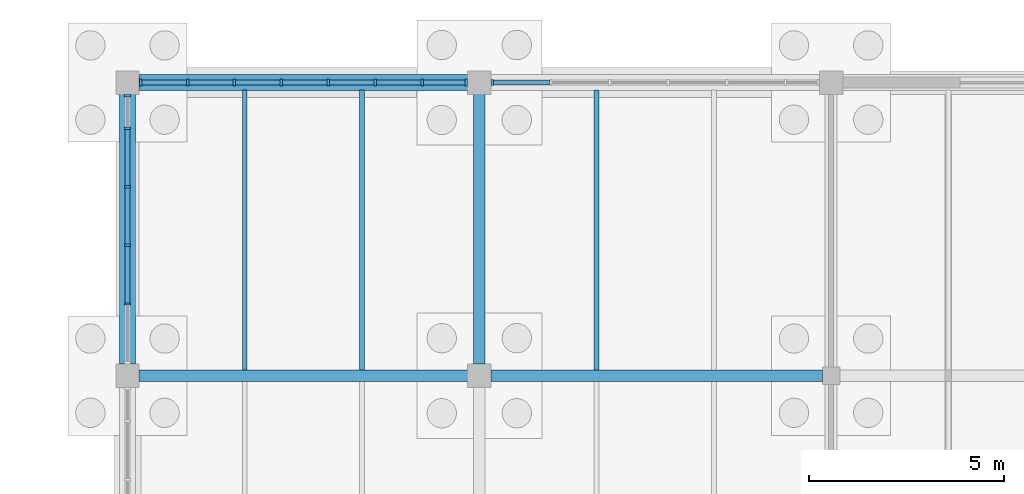
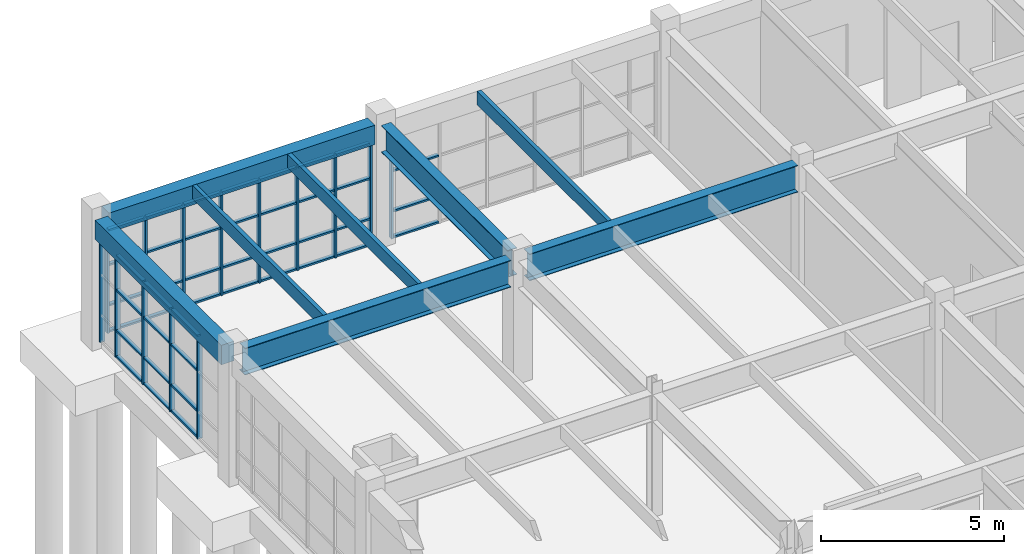
# One storey, part 35 of 93: 57 members, 8 beams, 3 elements without a shape of their own.
"""IFC4 building model written with IfcOpenShell, lengths in metres."""

from ifc_helpers import new_model, si_unit, direction, frame, origin, origin_2d, place, context, subcontext, project, spatial, rectangle, i_section, extrude, material, layer, layer_set, material_profile, profile_set, type_object, element, aggregate, save


model = new_model("IFC4")

# Units and contexts
model_context = context("Model", 3, precision=1e-05, world=origin(), true_north=direction((0.0, 1.0)))
body_context = subcontext(model_context, "Body", "Model", "MODEL_VIEW")
ifc_project = project(units=[si_unit("LENGTHUNIT", "METRE"), si_unit("AREAUNIT", "SQUARE_METRE"), si_unit("VOLUMEUNIT", "CUBIC_METRE"), si_unit("PLANEANGLEUNIT", "RADIAN"), si_unit("MASSUNIT", "GRAM", prefix="KILO")], contexts=[model_context])

# Site, building, storey
site_placement = place(None, origin())
site = spatial("IfcSite", under=ifc_project, at=site_placement, CompositionType="ELEMENT")
building_placement = place(site_placement, origin())
building = spatial("IfcBuilding", under=site, at=building_placement, Name="Marnridge Secondary College", CompositionType="ELEMENT")
storey_placement = place(building_placement, origin())
storey = spatial("IfcBuildingStorey", under=building, at=storey_placement, Name="L00", CompositionType="ELEMENT", Elevation=0.0)

# Beams
ifc_material_1 = material(Name="Engineered timber LVL E13.2", Category="wood")
ifc_material_profile_1 = material_profile(ifc_material_1, rectangle(XDim=0.1259765625, YDim=0.449951171875, at=origin_2d()), Name="LVL 126x450")
ifc_profile_set_1 = profile_set([ifc_material_profile_1], Name="Engineered timber LVL E13.2")
beam_type_1 = type_object("IfcBeamType", Name="BM-LVL450-INT", PredefinedType="JOIST", material=ifc_profile_set_1)
for number, where, z_axis, x_axis, name in (
    (1, (3.0, 112.64404296875, 3.875), (0.0, 1.0, 0.0), (-1.0, 0.0, 0.0), "Beam BJ-L00-0282"),
    (2, (6.0, 112.64404296875, 3.875), (0.0, 1.0, 0.0), (-1.0, 0.0, 0.0), "Beam BJ-L00-0283"),
    (3, (12.0, 112.64404296875, 3.875), (0.0, 1.0, 0.0), (-1.0, 0.0, 0.0), "Beam BJ-L00-0291"),
):
    element("IfcBeam", number, at=place(storey_placement, frame(where, z_axis=z_axis, x_axis=x_axis)), inside=storey, type_object=beam_type_1, Name=name, PredefinedType="JOIST", context=body_context, shape_type="SweptSolid", body=[
        extrude(rectangle(XDim=0.1259765625, YDim=0.449951171875, at=origin_2d()), origin(), (0.0, 0.0, 1.0), 7.161865234375),
    ])
ifc_material_2 = material(Name="Concrete C40/50 (AS 3600 N40, 40 MPa)", Category="concrete")
ifc_material_profile_2 = material_profile(ifc_material_2, rectangle(XDim=0.39990234375, YDim=0.64990234375, at=origin_2d()), Name="RC 400x650")
ifc_profile_set_2 = profile_set([ifc_material_profile_2], Name="Concrete C40/50 (AS 3600 N40, 40 MPa)")
beam_type_2 = type_object("IfcBeamType", Name="BM-RC4065-EXT", PredefinedType="SPANDREL", material=ifc_profile_set_2)
beam_1_placement = place(storey_placement, frame((0.2939453125, 120.0, 3.77490234375), z_axis=(1.0, 0.0, 0.0), x_axis=(0.0, 1.0, 0.0)))
element("IfcBeam", 4, at=beam_1_placement, inside=storey, type_object=beam_type_2, Name="Beam BS-L00-0235", PredefinedType="SPANDREL", context=body_context, shape_type="SweptSolid", body=[
    extrude(rectangle(XDim=0.39990234375, YDim=0.64990234375, at=origin_2d()), origin(), (0.0, 0.0, 1.0), 8.412109375),
])
beam_2_placement = place(storey_placement, frame((0.0, 112.7939453125, 3.77490234375), z_axis=(0.0, 1.0, 0.0), x_axis=(-1.0, 0.0, 0.0)))
element("IfcBeam", 5, at=beam_2_placement, inside=storey, type_object=beam_type_2, Name="Beam BS-L00-0236", PredefinedType="SPANDREL", context=body_context, shape_type="SweptSolid", body=[
    extrude(rectangle(XDim=0.39990234375, YDim=0.64990234375, at=origin_2d()), origin(), (0.0, 0.0, 1.0), 6.912109375),
])
ifc_material_3 = material(Name="Structural steel Grade 350 (AS/NZS 3679.1/.2, fy = 340-360 MPa)", Category="steel")
ifc_material_profile_3 = material_profile(ifc_material_3, i_section(OverallWidth=0.300048828125, OverallDepth=0.89990234375, WebThickness=0.011962890625, FlangeThickness=0.02001953125, at=origin_2d()), Name="900WB175")
ifc_profile_set_3 = profile_set([ifc_material_profile_3], Name="Structural steel Grade 350 (AS/NZS 3679.1/.2, fy = 340-360 MPa)")
beam_type_3 = type_object("IfcBeamType", Name="BM-WB900-INT", PredefinedType="BEAM", material=ifc_profile_set_3)
beam_3_placement = place(storey_placement, frame((0.2939453125, 112.5, 3.64990234375), z_axis=(1.0, 0.0, 0.0), x_axis=(0.0, 1.0, 0.0)))
element("IfcBeam", 6, at=beam_3_placement, inside=storey, type_object=beam_type_3, Name="Beam B-L00-0232", PredefinedType="BEAM", context=body_context, shape_type="SweptSolid", body=[
    extrude(i_section(OverallWidth=0.300048828125, OverallDepth=0.89990234375, WebThickness=0.011962890625, FlangeThickness=0.02001953125, at=origin_2d()), origin(), (0.0, 0.0, 1.0), 8.412109375),
])
beam_4_placement = place(storey_placement, frame((9.0, 112.7939453125, 3.64990234375), z_axis=(0.0, 1.0, 0.0), x_axis=(-1.0, 0.0, 0.0)))
element("IfcBeam", 7, at=beam_4_placement, inside=storey, type_object=beam_type_3, Name="Beam B-L00-0237", PredefinedType="BEAM", context=body_context, shape_type="SweptSolid", body=[
    extrude(i_section(OverallWidth=0.300048828125, OverallDepth=0.89990234375, WebThickness=0.011962890625, FlangeThickness=0.02001953125, at=origin_2d()), origin(), (0.0, 0.0, 1.0), 6.912109375),
])
beam_5_placement = place(storey_placement, frame((9.2939453125, 112.5, 3.64990234375), z_axis=(1.0, 0.0, 0.0), x_axis=(0.0, 1.0, 0.0)))
element("IfcBeam", 8, at=beam_5_placement, inside=storey, type_object=beam_type_3, Name="Beam B-L00-0245", PredefinedType="BEAM", context=body_context, shape_type="SweptSolid", body=[
    extrude(i_section(OverallWidth=0.300048828125, OverallDepth=0.89990234375, WebThickness=0.011962890625, FlangeThickness=0.02001953125, at=origin_2d()), origin(), (0.0, 0.0, 1.0), 8.487060546875),
])

# Curtain wall, member
ifc_material_4 = material(Name="Thermally broken aluminium and low-E glazing", Category="aluminium")
ifc_layer_1 = layer(ifc_material_4, 0.159912109375)
ifc_layer_set_1 = layer_set([ifc_layer_1], Name="CW-MOD-1500")
curtain_wall_type_1 = type_object("IfcCurtainWallType", Name="CW-MOD-1500", PredefinedType="NOTDEFINED", material=ifc_layer_set_1)
curtain_wall_1_placement = place(storey_placement, origin())
curtain_wall_1 = element("IfcCurtainWall", 9, at=curtain_wall_1_placement, inside=storey, type_object=curtain_wall_type_1, Name="Unitised curtain wall CW-L00-013", PredefinedType="NOTDEFINED")
ifc_material_5 = material(Name="Anodised aluminium 6063-T6", Category="aluminium")
ifc_material_profile_4 = material_profile(ifc_material_5, rectangle(XDim=0.06005859375, YDim=0.159912109375, at=origin_2d()), Name="ALU 60x160")
ifc_profile_set_4 = profile_set([ifc_material_profile_4], Name="Anodised aluminium 6063-T6")
member_type_1 = type_object("IfcMemberType", Name="CWM-ALU160", PredefinedType="MULLION", material=ifc_profile_set_4)
member_1_placement = place(storey_placement, frame((9.333984375, 120.0, 0.0), z_axis=(0.0, 0.0, 1.0), x_axis=(1.0, 0.0, 0.0)))
member_1 = element("IfcMember", 10, at=member_1_placement, type_object=member_type_1, Name="CW-L00-013 mullion 1", PredefinedType="MULLION", context=body_context, shape_type="SweptSolid", body=[
    extrude(rectangle(XDim=0.06005859375, YDim=0.159912109375, at=origin_2d()), origin(), (0.0, 0.0, 1.0), 3.44189453125),
])

# Curtain wall, members
curtain_wall_2_placement = place(storey_placement, origin())
curtain_wall_2 = element("IfcCurtainWall", 11, at=curtain_wall_2_placement, inside=storey, type_object=curtain_wall_type_1, Name="Unitised curtain wall CW-L00-018", PredefinedType="NOTDEFINED")
member_2_placement = place(storey_placement, frame((0.0, 114.333984375, 0.0), z_axis=(0.0, 0.0, 1.0), x_axis=(0.0, 1.0, 0.0)))
member_2 = element("IfcMember", 12, at=member_2_placement, type_object=member_type_1, Name="CW-L00-018 mullion 2", PredefinedType="MULLION", context=body_context, shape_type="SweptSolid", body=[
    extrude(rectangle(XDim=0.06005859375, YDim=0.159912109375, at=origin_2d()), origin(), (0.0, 0.0, 1.0), 3.44189453125),
])
member_3_placement = place(storey_placement, frame((0.0, 115.833984375, 0.0), z_axis=(0.0, 0.0, 1.0), x_axis=(0.0, 1.0, 0.0)))
member_3 = element("IfcMember", 13, at=member_3_placement, type_object=member_type_1, Name="CW-L00-018 mullion 3", PredefinedType="MULLION", context=body_context, shape_type="SweptSolid", body=[
    extrude(rectangle(XDim=0.06005859375, YDim=0.159912109375, at=origin_2d()), origin(), (0.0, 0.0, 1.0), 3.44189453125),
])
member_4_placement = place(storey_placement, frame((0.0, 117.333984375, 0.0), z_axis=(0.0, 0.0, 1.0), x_axis=(0.0, 1.0, 0.0)))
member_4 = element("IfcMember", 14, at=member_4_placement, type_object=member_type_1, Name="CW-L00-018 mullion 4", PredefinedType="MULLION", context=body_context, shape_type="SweptSolid", body=[
    extrude(rectangle(XDim=0.06005859375, YDim=0.159912109375, at=origin_2d()), origin(), (0.0, 0.0, 1.0), 3.44189453125),
])
member_5_placement = place(storey_placement, frame((0.0, 118.833984375, 0.0), z_axis=(0.0, 0.0, 1.0), x_axis=(0.0, 1.0, 0.0)))
member_5 = element("IfcMember", 15, at=member_5_placement, type_object=member_type_1, Name="CW-L00-018 mullion 5", PredefinedType="MULLION", context=body_context, shape_type="SweptSolid", body=[
    extrude(rectangle(XDim=0.06005859375, YDim=0.159912109375, at=origin_2d()), origin(), (0.0, 0.0, 1.0), 3.44189453125),
])
member_6_placement = place(storey_placement, frame((0.0, 119.666015625, 0.0), z_axis=(0.0, 0.0, 1.0), x_axis=(0.0, 1.0, 0.0)))
member_6 = element("IfcMember", 16, at=member_6_placement, type_object=member_type_1, Name="CW-L00-018 mullion 6", PredefinedType="MULLION", context=body_context, shape_type="SweptSolid", body=[
    extrude(rectangle(XDim=0.06005859375, YDim=0.159912109375, at=origin_2d()), origin(), (0.0, 0.0, 1.0), 3.44189453125),
])

ifc_material_6 = material(Name="Thermally broken aluminium and low-E glazing", Category="aluminium")
ifc_layer_2 = layer(ifc_material_6, 0.179931640625)
ifc_layer_set_2 = layer_set([ifc_layer_2], Name="CW-MOD-1200")
curtain_wall_type_2 = type_object("IfcCurtainWallType", Name="CW-MOD-1200", PredefinedType="NOTDEFINED", material=ifc_layer_set_2)
curtain_wall_3_placement = place(storey_placement, origin())
curtain_wall_3 = element("IfcCurtainWall", 17, at=curtain_wall_3_placement, inside=storey, type_object=curtain_wall_type_2, Name="Unitised curtain wall CW-L00-012", PredefinedType="NOTDEFINED")
ifc_material_7 = material(Name="Anodised aluminium 6063-T6", Category="aluminium")
ifc_material_profile_5 = material_profile(ifc_material_7, rectangle(XDim=0.06494140625, YDim=0.179931640625, at=origin_2d()), Name="ALU 65x180")
ifc_profile_set_5 = profile_set([ifc_material_profile_5], Name="Anodised aluminium 6063-T6")
member_type_2 = type_object("IfcMemberType", Name="CWM-ALU180", PredefinedType="MULLION", material=ifc_profile_set_5)
member_7_placement = place(storey_placement, frame((0.33642578125, 120.0, 0.0), z_axis=(0.0, 0.0, 1.0), x_axis=(1.0, 0.0, 0.0)))
member_7 = element("IfcMember", 18, at=member_7_placement, type_object=member_type_2, Name="CW-L00-012 mullion 1", PredefinedType="MULLION", context=body_context, shape_type="SweptSolid", body=[
    extrude(rectangle(XDim=0.06494140625, YDim=0.179931640625, at=origin_2d()), origin(), (0.0, 0.0, 1.0), 3.44189453125),
])
member_8_placement = place(storey_placement, frame((1.53662109375, 120.0, 0.0), z_axis=(0.0, 0.0, 1.0), x_axis=(1.0, 0.0, 0.0)))
member_8 = element("IfcMember", 19, at=member_8_placement, type_object=member_type_2, Name="CW-L00-012 mullion 2", PredefinedType="MULLION", context=body_context, shape_type="SweptSolid", body=[
    extrude(rectangle(XDim=0.06494140625, YDim=0.179931640625, at=origin_2d()), origin(), (0.0, 0.0, 1.0), 3.44189453125),
])
member_9_placement = place(storey_placement, frame((2.736572265625, 120.0, 0.0), z_axis=(0.0, 0.0, 1.0), x_axis=(1.0, 0.0, 0.0)))
member_9 = element("IfcMember", 20, at=member_9_placement, type_object=member_type_2, Name="CW-L00-012 mullion 3", PredefinedType="MULLION", context=body_context, shape_type="SweptSolid", body=[
    extrude(rectangle(XDim=0.06494140625, YDim=0.179931640625, at=origin_2d()), origin(), (0.0, 0.0, 1.0), 3.44189453125),
])
member_10_placement = place(storey_placement, frame((3.9365234375, 120.0, 0.0), z_axis=(0.0, 0.0, 1.0), x_axis=(1.0, 0.0, 0.0)))
member_10 = element("IfcMember", 21, at=member_10_placement, type_object=member_type_2, Name="CW-L00-012 mullion 4", PredefinedType="MULLION", context=body_context, shape_type="SweptSolid", body=[
    extrude(rectangle(XDim=0.06494140625, YDim=0.179931640625, at=origin_2d()), origin(), (0.0, 0.0, 1.0), 3.44189453125),
])
member_11_placement = place(storey_placement, frame((5.136474609375, 120.0, 0.0), z_axis=(0.0, 0.0, 1.0), x_axis=(1.0, 0.0, 0.0)))
member_11 = element("IfcMember", 22, at=member_11_placement, type_object=member_type_2, Name="CW-L00-012 mullion 5", PredefinedType="MULLION", context=body_context, shape_type="SweptSolid", body=[
    extrude(rectangle(XDim=0.06494140625, YDim=0.179931640625, at=origin_2d()), origin(), (0.0, 0.0, 1.0), 3.44189453125),
])
member_12_placement = place(storey_placement, frame((6.33642578125, 120.0, 0.0), z_axis=(0.0, 0.0, 1.0), x_axis=(1.0, 0.0, 0.0)))
member_12 = element("IfcMember", 23, at=member_12_placement, type_object=member_type_2, Name="CW-L00-012 mullion 6", PredefinedType="MULLION", context=body_context, shape_type="SweptSolid", body=[
    extrude(rectangle(XDim=0.06494140625, YDim=0.179931640625, at=origin_2d()), origin(), (0.0, 0.0, 1.0), 3.44189453125),
])
member_13_placement = place(storey_placement, frame((7.53662109375, 120.0, 0.0), z_axis=(0.0, 0.0, 1.0), x_axis=(1.0, 0.0, 0.0)))
member_13 = element("IfcMember", 24, at=member_13_placement, type_object=member_type_2, Name="CW-L00-012 mullion 7", PredefinedType="MULLION", context=body_context, shape_type="SweptSolid", body=[
    extrude(rectangle(XDim=0.06494140625, YDim=0.179931640625, at=origin_2d()), origin(), (0.0, 0.0, 1.0), 3.44189453125),
])
member_14_placement = place(storey_placement, frame((8.66357421875, 120.0, 0.0), z_axis=(0.0, 0.0, 1.0), x_axis=(1.0, 0.0, 0.0)))
member_14 = element("IfcMember", 25, at=member_14_placement, type_object=member_type_2, Name="CW-L00-012 mullion 8", PredefinedType="MULLION", context=body_context, shape_type="SweptSolid", body=[
    extrude(rectangle(XDim=0.06494140625, YDim=0.179931640625, at=origin_2d()), origin(), (0.0, 0.0, 1.0), 3.44189453125),
])
ifc_material_8 = material(Name="Anodised aluminium 6063-T6", Category="aluminium")
ifc_material_profile_6 = material_profile(ifc_material_8, rectangle(XDim=0.06005859375, YDim=0.1201171875, at=origin_2d()), Name="ALU 60x120")
ifc_profile_set_6 = profile_set([ifc_material_profile_6], Name="Anodised aluminium 6063-T6")
member_type_3 = type_object("IfcMemberType", Name="CWT-ALU120", PredefinedType="USERDEFINED", material=ifc_profile_set_6)
member_15_placement = place(storey_placement, frame((0.368896484375, 120.0, 0.030029296875), z_axis=(1.0, 0.0, 0.0), x_axis=(0.0, 0.0, 1.0)))
member_15 = element("IfcMember", 26, at=member_15_placement, type_object=member_type_3, Name="CW-L00-012 transom 1.1", ObjectType="TRANSOM", PredefinedType="USERDEFINED", context=body_context, shape_type="SweptSolid", body=[
    extrude(rectangle(XDim=0.06005859375, YDim=0.1201171875, at=origin_2d()), origin(), (0.0, 0.0, 1.0), 1.135009765625),
])
member_16_placement = place(storey_placement, frame((0.368896484375, 120.0, 0.89990234375), z_axis=(1.0, 0.0, 0.0), x_axis=(0.0, 0.0, 1.0)))
member_16 = element("IfcMember", 27, at=member_16_placement, type_object=member_type_3, Name="CW-L00-012 transom 1.2", ObjectType="TRANSOM", PredefinedType="USERDEFINED", context=body_context, shape_type="SweptSolid", body=[
    extrude(rectangle(XDim=0.06005859375, YDim=0.1201171875, at=origin_2d()), origin(), (0.0, 0.0, 1.0), 1.135009765625),
])
member_17_placement = place(storey_placement, frame((0.368896484375, 120.0, 2.25), z_axis=(1.0, 0.0, 0.0), x_axis=(0.0, 0.0, 1.0)))
member_17 = element("IfcMember", 28, at=member_17_placement, type_object=member_type_3, Name="CW-L00-012 transom 1.3", ObjectType="TRANSOM", PredefinedType="USERDEFINED", context=body_context, shape_type="SweptSolid", body=[
    extrude(rectangle(XDim=0.06005859375, YDim=0.1201171875, at=origin_2d()), origin(), (0.0, 0.0, 1.0), 1.135009765625),
])
member_18_placement = place(storey_placement, frame((0.368896484375, 120.0, 3.412109375), z_axis=(1.0, 0.0, 0.0), x_axis=(0.0, 0.0, 1.0)))
member_18 = element("IfcMember", 29, at=member_18_placement, type_object=member_type_3, Name="CW-L00-012 transom 1.4", ObjectType="TRANSOM", PredefinedType="USERDEFINED", context=body_context, shape_type="SweptSolid", body=[
    extrude(rectangle(XDim=0.06005859375, YDim=0.1201171875, at=origin_2d()), origin(), (0.0, 0.0, 1.0), 1.135009765625),
])
member_19_placement = place(storey_placement, frame((1.569091796875, 120.0, 0.030029296875), z_axis=(1.0, 0.0, 0.0), x_axis=(0.0, 0.0, 1.0)))
member_19 = element("IfcMember", 30, at=member_19_placement, type_object=member_type_3, Name="CW-L00-012 transom 2.1", ObjectType="TRANSOM", PredefinedType="USERDEFINED", context=body_context, shape_type="SweptSolid", body=[
    extrude(rectangle(XDim=0.06005859375, YDim=0.1201171875, at=origin_2d()), origin(), (0.0, 0.0, 1.0), 1.135009765625),
])
member_20_placement = place(storey_placement, frame((1.569091796875, 120.0, 0.89990234375), z_axis=(1.0, 0.0, 0.0), x_axis=(0.0, 0.0, 1.0)))
member_20 = element("IfcMember", 31, at=member_20_placement, type_object=member_type_3, Name="CW-L00-012 transom 2.2", ObjectType="TRANSOM", PredefinedType="USERDEFINED", context=body_context, shape_type="SweptSolid", body=[
    extrude(rectangle(XDim=0.06005859375, YDim=0.1201171875, at=origin_2d()), origin(), (0.0, 0.0, 1.0), 1.135009765625),
])
member_21_placement = place(storey_placement, frame((1.569091796875, 120.0, 2.25), z_axis=(1.0, 0.0, 0.0), x_axis=(0.0, 0.0, 1.0)))
member_21 = element("IfcMember", 32, at=member_21_placement, type_object=member_type_3, Name="CW-L00-012 transom 2.3", ObjectType="TRANSOM", PredefinedType="USERDEFINED", context=body_context, shape_type="SweptSolid", body=[
    extrude(rectangle(XDim=0.06005859375, YDim=0.1201171875, at=origin_2d()), origin(), (0.0, 0.0, 1.0), 1.135009765625),
])
member_22_placement = place(storey_placement, frame((1.569091796875, 120.0, 3.412109375), z_axis=(1.0, 0.0, 0.0), x_axis=(0.0, 0.0, 1.0)))
member_22 = element("IfcMember", 33, at=member_22_placement, type_object=member_type_3, Name="CW-L00-012 transom 2.4", ObjectType="TRANSOM", PredefinedType="USERDEFINED", context=body_context, shape_type="SweptSolid", body=[
    extrude(rectangle(XDim=0.06005859375, YDim=0.1201171875, at=origin_2d()), origin(), (0.0, 0.0, 1.0), 1.135009765625),
])
member_23_placement = place(storey_placement, frame((2.76904296875, 120.0, 0.030029296875), z_axis=(1.0, 0.0, 0.0), x_axis=(0.0, 0.0, 1.0)))
member_23 = element("IfcMember", 34, at=member_23_placement, type_object=member_type_3, Name="CW-L00-012 transom 3.1", ObjectType="TRANSOM", PredefinedType="USERDEFINED", context=body_context, shape_type="SweptSolid", body=[
    extrude(rectangle(XDim=0.06005859375, YDim=0.1201171875, at=origin_2d()), origin(), (0.0, 0.0, 1.0), 1.135009765625),
])
member_24_placement = place(storey_placement, frame((2.76904296875, 120.0, 0.89990234375), z_axis=(1.0, 0.0, 0.0), x_axis=(0.0, 0.0, 1.0)))
member_24 = element("IfcMember", 35, at=member_24_placement, type_object=member_type_3, Name="CW-L00-012 transom 3.2", ObjectType="TRANSOM", PredefinedType="USERDEFINED", context=body_context, shape_type="SweptSolid", body=[
    extrude(rectangle(XDim=0.06005859375, YDim=0.1201171875, at=origin_2d()), origin(), (0.0, 0.0, 1.0), 1.135009765625),
])
member_25_placement = place(storey_placement, frame((2.76904296875, 120.0, 2.25), z_axis=(1.0, 0.0, 0.0), x_axis=(0.0, 0.0, 1.0)))
member_25 = element("IfcMember", 36, at=member_25_placement, type_object=member_type_3, Name="CW-L00-012 transom 3.3", ObjectType="TRANSOM", PredefinedType="USERDEFINED", context=body_context, shape_type="SweptSolid", body=[
    extrude(rectangle(XDim=0.06005859375, YDim=0.1201171875, at=origin_2d()), origin(), (0.0, 0.0, 1.0), 1.135009765625),
])
member_26_placement = place(storey_placement, frame((2.76904296875, 120.0, 3.412109375), z_axis=(1.0, 0.0, 0.0), x_axis=(0.0, 0.0, 1.0)))
member_26 = element("IfcMember", 37, at=member_26_placement, type_object=member_type_3, Name="CW-L00-012 transom 3.4", ObjectType="TRANSOM", PredefinedType="USERDEFINED", context=body_context, shape_type="SweptSolid", body=[
    extrude(rectangle(XDim=0.06005859375, YDim=0.1201171875, at=origin_2d()), origin(), (0.0, 0.0, 1.0), 1.135009765625),
])
member_27_placement = place(storey_placement, frame((3.968994140625, 120.0, 0.030029296875), z_axis=(1.0, 0.0, 0.0), x_axis=(0.0, 0.0, 1.0)))
member_27 = element("IfcMember", 38, at=member_27_placement, type_object=member_type_3, Name="CW-L00-012 transom 4.1", ObjectType="TRANSOM", PredefinedType="USERDEFINED", context=body_context, shape_type="SweptSolid", body=[
    extrude(rectangle(XDim=0.06005859375, YDim=0.1201171875, at=origin_2d()), origin(), (0.0, 0.0, 1.0), 1.135009765625),
])
member_28_placement = place(storey_placement, frame((3.968994140625, 120.0, 0.89990234375), z_axis=(1.0, 0.0, 0.0), x_axis=(0.0, 0.0, 1.0)))
member_28 = element("IfcMember", 39, at=member_28_placement, type_object=member_type_3, Name="CW-L00-012 transom 4.2", ObjectType="TRANSOM", PredefinedType="USERDEFINED", context=body_context, shape_type="SweptSolid", body=[
    extrude(rectangle(XDim=0.06005859375, YDim=0.1201171875, at=origin_2d()), origin(), (0.0, 0.0, 1.0), 1.135009765625),
])
member_29_placement = place(storey_placement, frame((3.968994140625, 120.0, 2.25), z_axis=(1.0, 0.0, 0.0), x_axis=(0.0, 0.0, 1.0)))
member_29 = element("IfcMember", 40, at=member_29_placement, type_object=member_type_3, Name="CW-L00-012 transom 4.3", ObjectType="TRANSOM", PredefinedType="USERDEFINED", context=body_context, shape_type="SweptSolid", body=[
    extrude(rectangle(XDim=0.06005859375, YDim=0.1201171875, at=origin_2d()), origin(), (0.0, 0.0, 1.0), 1.135009765625),
])
member_30_placement = place(storey_placement, frame((3.968994140625, 120.0, 3.412109375), z_axis=(1.0, 0.0, 0.0), x_axis=(0.0, 0.0, 1.0)))
member_30 = element("IfcMember", 41, at=member_30_placement, type_object=member_type_3, Name="CW-L00-012 transom 4.4", ObjectType="TRANSOM", PredefinedType="USERDEFINED", context=body_context, shape_type="SweptSolid", body=[
    extrude(rectangle(XDim=0.06005859375, YDim=0.1201171875, at=origin_2d()), origin(), (0.0, 0.0, 1.0), 1.135009765625),
])
member_31_placement = place(storey_placement, frame((5.1689453125, 120.0, 0.030029296875), z_axis=(1.0, 0.0, 0.0), x_axis=(0.0, 0.0, 1.0)))
member_31 = element("IfcMember", 42, at=member_31_placement, type_object=member_type_3, Name="CW-L00-012 transom 5.1", ObjectType="TRANSOM", PredefinedType="USERDEFINED", context=body_context, shape_type="SweptSolid", body=[
    extrude(rectangle(XDim=0.06005859375, YDim=0.1201171875, at=origin_2d()), origin(), (0.0, 0.0, 1.0), 1.135009765625),
])
member_32_placement = place(storey_placement, frame((5.1689453125, 120.0, 0.89990234375), z_axis=(1.0, 0.0, 0.0), x_axis=(0.0, 0.0, 1.0)))
member_32 = element("IfcMember", 43, at=member_32_placement, type_object=member_type_3, Name="CW-L00-012 transom 5.2", ObjectType="TRANSOM", PredefinedType="USERDEFINED", context=body_context, shape_type="SweptSolid", body=[
    extrude(rectangle(XDim=0.06005859375, YDim=0.1201171875, at=origin_2d()), origin(), (0.0, 0.0, 1.0), 1.135009765625),
])
member_33_placement = place(storey_placement, frame((5.1689453125, 120.0, 2.25), z_axis=(1.0, 0.0, 0.0), x_axis=(0.0, 0.0, 1.0)))
member_33 = element("IfcMember", 44, at=member_33_placement, type_object=member_type_3, Name="CW-L00-012 transom 5.3", ObjectType="TRANSOM", PredefinedType="USERDEFINED", context=body_context, shape_type="SweptSolid", body=[
    extrude(rectangle(XDim=0.06005859375, YDim=0.1201171875, at=origin_2d()), origin(), (0.0, 0.0, 1.0), 1.135009765625),
])
member_34_placement = place(storey_placement, frame((5.1689453125, 120.0, 3.412109375), z_axis=(1.0, 0.0, 0.0), x_axis=(0.0, 0.0, 1.0)))
member_34 = element("IfcMember", 45, at=member_34_placement, type_object=member_type_3, Name="CW-L00-012 transom 5.4", ObjectType="TRANSOM", PredefinedType="USERDEFINED", context=body_context, shape_type="SweptSolid", body=[
    extrude(rectangle(XDim=0.06005859375, YDim=0.1201171875, at=origin_2d()), origin(), (0.0, 0.0, 1.0), 1.135009765625),
])
member_35_placement = place(storey_placement, frame((6.368896484375, 120.0, 0.030029296875), z_axis=(1.0, 0.0, 0.0), x_axis=(0.0, 0.0, 1.0)))
member_35 = element("IfcMember", 46, at=member_35_placement, type_object=member_type_3, Name="CW-L00-012 transom 6.1", ObjectType="TRANSOM", PredefinedType="USERDEFINED", context=body_context, shape_type="SweptSolid", body=[
    extrude(rectangle(XDim=0.06005859375, YDim=0.1201171875, at=origin_2d()), origin(), (0.0, 0.0, 1.0), 1.135009765625),
])
member_36_placement = place(storey_placement, frame((6.368896484375, 120.0, 0.89990234375), z_axis=(1.0, 0.0, 0.0), x_axis=(0.0, 0.0, 1.0)))
member_36 = element("IfcMember", 47, at=member_36_placement, type_object=member_type_3, Name="CW-L00-012 transom 6.2", ObjectType="TRANSOM", PredefinedType="USERDEFINED", context=body_context, shape_type="SweptSolid", body=[
    extrude(rectangle(XDim=0.06005859375, YDim=0.1201171875, at=origin_2d()), origin(), (0.0, 0.0, 1.0), 1.135009765625),
])
member_37_placement = place(storey_placement, frame((6.368896484375, 120.0, 2.25), z_axis=(1.0, 0.0, 0.0), x_axis=(0.0, 0.0, 1.0)))
member_37 = element("IfcMember", 48, at=member_37_placement, type_object=member_type_3, Name="CW-L00-012 transom 6.3", ObjectType="TRANSOM", PredefinedType="USERDEFINED", context=body_context, shape_type="SweptSolid", body=[
    extrude(rectangle(XDim=0.06005859375, YDim=0.1201171875, at=origin_2d()), origin(), (0.0, 0.0, 1.0), 1.135009765625),
])
member_38_placement = place(storey_placement, frame((6.368896484375, 120.0, 3.412109375), z_axis=(1.0, 0.0, 0.0), x_axis=(0.0, 0.0, 1.0)))
member_38 = element("IfcMember", 49, at=member_38_placement, type_object=member_type_3, Name="CW-L00-012 transom 6.4", ObjectType="TRANSOM", PredefinedType="USERDEFINED", context=body_context, shape_type="SweptSolid", body=[
    extrude(rectangle(XDim=0.06005859375, YDim=0.1201171875, at=origin_2d()), origin(), (0.0, 0.0, 1.0), 1.135009765625),
])
member_39_placement = place(storey_placement, frame((7.569091796875, 120.0, 0.030029296875), z_axis=(1.0, 0.0, 0.0), x_axis=(0.0, 0.0, 1.0)))
member_39 = element("IfcMember", 50, at=member_39_placement, type_object=member_type_3, Name="CW-L00-012 transom 7.1", ObjectType="TRANSOM", PredefinedType="USERDEFINED", context=body_context, shape_type="SweptSolid", body=[
    extrude(rectangle(XDim=0.06005859375, YDim=0.1201171875, at=origin_2d()), origin(), (0.0, 0.0, 1.0), 1.06201171875),
])
member_40_placement = place(storey_placement, frame((7.569091796875, 120.0, 0.89990234375), z_axis=(1.0, 0.0, 0.0), x_axis=(0.0, 0.0, 1.0)))
member_40 = element("IfcMember", 51, at=member_40_placement, type_object=member_type_3, Name="CW-L00-012 transom 7.2", ObjectType="TRANSOM", PredefinedType="USERDEFINED", context=body_context, shape_type="SweptSolid", body=[
    extrude(rectangle(XDim=0.06005859375, YDim=0.1201171875, at=origin_2d()), origin(), (0.0, 0.0, 1.0), 1.06201171875),
])
member_41_placement = place(storey_placement, frame((7.569091796875, 120.0, 2.25), z_axis=(1.0, 0.0, 0.0), x_axis=(0.0, 0.0, 1.0)))
member_41 = element("IfcMember", 52, at=member_41_placement, type_object=member_type_3, Name="CW-L00-012 transom 7.3", ObjectType="TRANSOM", PredefinedType="USERDEFINED", context=body_context, shape_type="SweptSolid", body=[
    extrude(rectangle(XDim=0.06005859375, YDim=0.1201171875, at=origin_2d()), origin(), (0.0, 0.0, 1.0), 1.06201171875),
])
member_42_placement = place(storey_placement, frame((7.569091796875, 120.0, 3.412109375), z_axis=(1.0, 0.0, 0.0), x_axis=(0.0, 0.0, 1.0)))
member_42 = element("IfcMember", 53, at=member_42_placement, type_object=member_type_3, Name="CW-L00-012 transom 7.4", ObjectType="TRANSOM", PredefinedType="USERDEFINED", context=body_context, shape_type="SweptSolid", body=[
    extrude(rectangle(XDim=0.06005859375, YDim=0.1201171875, at=origin_2d()), origin(), (0.0, 0.0, 1.0), 1.06201171875),
])
aggregate(curtain_wall_3, [member_7, member_8, member_9, member_10, member_11, member_12, member_13, member_14, member_15, member_16, member_17, member_18, member_19, member_20, member_21, member_22, member_23, member_24, member_25, member_26, member_27, member_28, member_29, member_30, member_31, member_32, member_33, member_34, member_35, member_36, member_37, member_38, member_39, member_40, member_41, member_42])

# Member
member_43_placement = place(storey_placement, frame((9.364013671875, 120.0, 0.030029296875), z_axis=(1.0, 0.0, 0.0), x_axis=(0.0, 0.0, 1.0)))
member_43 = element("IfcMember", 54, at=member_43_placement, type_object=member_type_3, Name="CW-L00-013 transom 1.1", ObjectType="TRANSOM", PredefinedType="USERDEFINED", context=body_context, shape_type="SweptSolid", body=[
    extrude(rectangle(XDim=0.06005859375, YDim=0.1201171875, at=origin_2d()), origin(), (0.0, 0.0, 1.0), 1.43994140625),
])

member_44_placement = place(storey_placement, frame((9.364013671875, 120.0, 0.89990234375), z_axis=(1.0, 0.0, 0.0), x_axis=(0.0, 0.0, 1.0)))
member_44 = element("IfcMember", 55, at=member_44_placement, type_object=member_type_3, Name="CW-L00-013 transom 1.2", ObjectType="TRANSOM", PredefinedType="USERDEFINED", context=body_context, shape_type="SweptSolid", body=[
    extrude(rectangle(XDim=0.06005859375, YDim=0.1201171875, at=origin_2d()), origin(), (0.0, 0.0, 1.0), 1.43994140625),
])

member_45_placement = place(storey_placement, frame((9.364013671875, 120.0, 2.25), z_axis=(1.0, 0.0, 0.0), x_axis=(0.0, 0.0, 1.0)))
member_45 = element("IfcMember", 56, at=member_45_placement, type_object=member_type_3, Name="CW-L00-013 transom 1.3", ObjectType="TRANSOM", PredefinedType="USERDEFINED", context=body_context, shape_type="SweptSolid", body=[
    extrude(rectangle(XDim=0.06005859375, YDim=0.1201171875, at=origin_2d()), origin(), (0.0, 0.0, 1.0), 1.43994140625),
])

aggregate(curtain_wall_1, [member_1, member_43, member_44, member_45])

member_46_placement = place(storey_placement, frame((0.0, 114.364013671875, 0.030029296875), z_axis=(0.0, 1.0, 0.0), x_axis=(0.0, 0.0, 1.0)))
member_46 = element("IfcMember", 57, at=member_46_placement, type_object=member_type_3, Name="CW-L00-018 transom 2.1", ObjectType="TRANSOM", PredefinedType="USERDEFINED", context=body_context, shape_type="SweptSolid", body=[
    extrude(rectangle(XDim=0.06005859375, YDim=0.1201171875, at=origin_2d()), origin(), (0.0, 0.0, 1.0), 1.43994140625),
])

member_47_placement = place(storey_placement, frame((0.0, 114.364013671875, 0.89990234375), z_axis=(0.0, 1.0, 0.0), x_axis=(0.0, 0.0, 1.0)))
member_47 = element("IfcMember", 58, at=member_47_placement, type_object=member_type_3, Name="CW-L00-018 transom 2.2", ObjectType="TRANSOM", PredefinedType="USERDEFINED", context=body_context, shape_type="SweptSolid", body=[
    extrude(rectangle(XDim=0.06005859375, YDim=0.1201171875, at=origin_2d()), origin(), (0.0, 0.0, 1.0), 1.43994140625),
])

member_48_placement = place(storey_placement, frame((0.0, 114.364013671875, 2.25), z_axis=(0.0, 1.0, 0.0), x_axis=(0.0, 0.0, 1.0)))
member_48 = element("IfcMember", 59, at=member_48_placement, type_object=member_type_3, Name="CW-L00-018 transom 2.3", ObjectType="TRANSOM", PredefinedType="USERDEFINED", context=body_context, shape_type="SweptSolid", body=[
    extrude(rectangle(XDim=0.06005859375, YDim=0.1201171875, at=origin_2d()), origin(), (0.0, 0.0, 1.0), 1.43994140625),
])

member_49_placement = place(storey_placement, frame((0.0, 114.364013671875, 3.412109375), z_axis=(0.0, 1.0, 0.0), x_axis=(0.0, 0.0, 1.0)))
member_49 = element("IfcMember", 60, at=member_49_placement, type_object=member_type_3, Name="CW-L00-018 transom 2.4", ObjectType="TRANSOM", PredefinedType="USERDEFINED", context=body_context, shape_type="SweptSolid", body=[
    extrude(rectangle(XDim=0.06005859375, YDim=0.1201171875, at=origin_2d()), origin(), (0.0, 0.0, 1.0), 1.43994140625),
])

member_50_placement = place(storey_placement, frame((0.0, 115.864013671875, 0.030029296875), z_axis=(0.0, 1.0, 0.0), x_axis=(0.0, 0.0, 1.0)))
member_50 = element("IfcMember", 61, at=member_50_placement, type_object=member_type_3, Name="CW-L00-018 transom 3.1", ObjectType="TRANSOM", PredefinedType="USERDEFINED", context=body_context, shape_type="SweptSolid", body=[
    extrude(rectangle(XDim=0.06005859375, YDim=0.1201171875, at=origin_2d()), origin(), (0.0, 0.0, 1.0), 1.43994140625),
])

member_51_placement = place(storey_placement, frame((0.0, 115.864013671875, 0.89990234375), z_axis=(0.0, 1.0, 0.0), x_axis=(0.0, 0.0, 1.0)))
member_51 = element("IfcMember", 62, at=member_51_placement, type_object=member_type_3, Name="CW-L00-018 transom 3.2", ObjectType="TRANSOM", PredefinedType="USERDEFINED", context=body_context, shape_type="SweptSolid", body=[
    extrude(rectangle(XDim=0.06005859375, YDim=0.1201171875, at=origin_2d()), origin(), (0.0, 0.0, 1.0), 1.43994140625),
])

member_52_placement = place(storey_placement, frame((0.0, 115.864013671875, 2.25), z_axis=(0.0, 1.0, 0.0), x_axis=(0.0, 0.0, 1.0)))
member_52 = element("IfcMember", 63, at=member_52_placement, type_object=member_type_3, Name="CW-L00-018 transom 3.3", ObjectType="TRANSOM", PredefinedType="USERDEFINED", context=body_context, shape_type="SweptSolid", body=[
    extrude(rectangle(XDim=0.06005859375, YDim=0.1201171875, at=origin_2d()), origin(), (0.0, 0.0, 1.0), 1.43994140625),
])

member_53_placement = place(storey_placement, frame((0.0, 115.864013671875, 3.412109375), z_axis=(0.0, 1.0, 0.0), x_axis=(0.0, 0.0, 1.0)))
member_53 = element("IfcMember", 64, at=member_53_placement, type_object=member_type_3, Name="CW-L00-018 transom 3.4", ObjectType="TRANSOM", PredefinedType="USERDEFINED", context=body_context, shape_type="SweptSolid", body=[
    extrude(rectangle(XDim=0.06005859375, YDim=0.1201171875, at=origin_2d()), origin(), (0.0, 0.0, 1.0), 1.43994140625),
])

member_54_placement = place(storey_placement, frame((0.0, 117.364013671875, 0.030029296875), z_axis=(0.0, 1.0, 0.0), x_axis=(0.0, 0.0, 1.0)))
member_54 = element("IfcMember", 65, at=member_54_placement, type_object=member_type_3, Name="CW-L00-018 transom 4.1", ObjectType="TRANSOM", PredefinedType="USERDEFINED", context=body_context, shape_type="SweptSolid", body=[
    extrude(rectangle(XDim=0.06005859375, YDim=0.1201171875, at=origin_2d()), origin(), (0.0, 0.0, 1.0), 1.43994140625),
])

member_55_placement = place(storey_placement, frame((0.0, 117.364013671875, 0.89990234375), z_axis=(0.0, 1.0, 0.0), x_axis=(0.0, 0.0, 1.0)))
member_55 = element("IfcMember", 66, at=member_55_placement, type_object=member_type_3, Name="CW-L00-018 transom 4.2", ObjectType="TRANSOM", PredefinedType="USERDEFINED", context=body_context, shape_type="SweptSolid", body=[
    extrude(rectangle(XDim=0.06005859375, YDim=0.1201171875, at=origin_2d()), origin(), (0.0, 0.0, 1.0), 1.43994140625),
])

member_56_placement = place(storey_placement, frame((0.0, 117.364013671875, 2.25), z_axis=(0.0, 1.0, 0.0), x_axis=(0.0, 0.0, 1.0)))
member_56 = element("IfcMember", 67, at=member_56_placement, type_object=member_type_3, Name="CW-L00-018 transom 4.3", ObjectType="TRANSOM", PredefinedType="USERDEFINED", context=body_context, shape_type="SweptSolid", body=[
    extrude(rectangle(XDim=0.06005859375, YDim=0.1201171875, at=origin_2d()), origin(), (0.0, 0.0, 1.0), 1.43994140625),
])

member_57_placement = place(storey_placement, frame((0.0, 117.364013671875, 3.412109375), z_axis=(0.0, 1.0, 0.0), x_axis=(0.0, 0.0, 1.0)))
member_57 = element("IfcMember", 68, at=member_57_placement, type_object=member_type_3, Name="CW-L00-018 transom 4.4", ObjectType="TRANSOM", PredefinedType="USERDEFINED", context=body_context, shape_type="SweptSolid", body=[
    extrude(rectangle(XDim=0.06005859375, YDim=0.1201171875, at=origin_2d()), origin(), (0.0, 0.0, 1.0), 1.43994140625),
])

aggregate(curtain_wall_2, [member_2, member_3, member_4, member_5, member_6, member_46, member_47, member_48, member_49, member_50, member_51, member_52, member_53, member_54, member_55, member_56, member_57])

save(model, "model.ifc")
